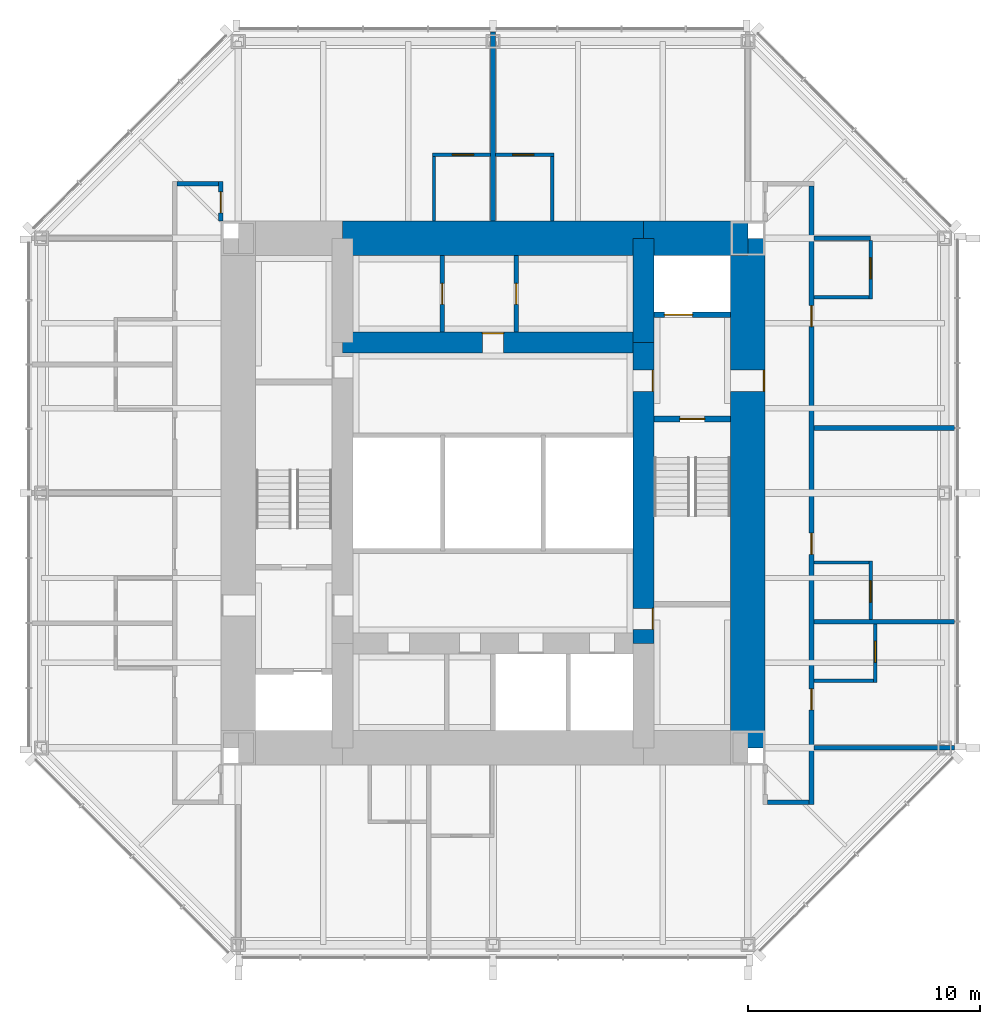
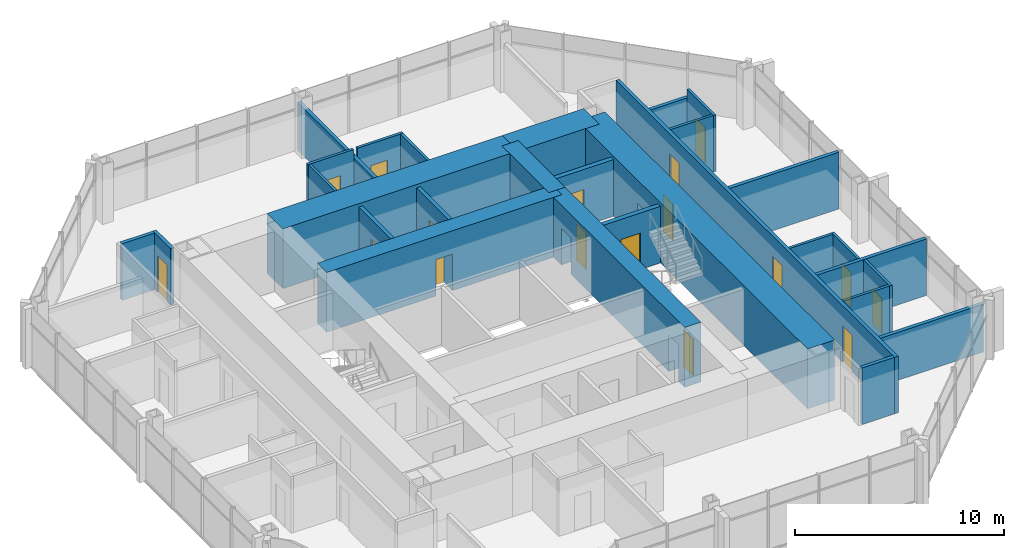
# One storey, part 9 of 11: 29 walls, 17 doors, 17 openings.
"""IFC4 building model written with IfcOpenShell, lengths in metres."""

from ifc_helpers import new_model, si_unit, direction, frame, frame_2d, origin, place, context, subcontext, project, spatial, rectangle, extrude, material, layer, layer_set, type_object, element, fill, save


model = new_model("IFC4")

# Units and contexts
model_context = context("Model", 3, precision=1e-05, world=origin(), true_north=direction((0.0, 1.0)))
body_context = subcontext(model_context, "Body", "Model", "MODEL_VIEW")
ifc_project = project(units=[si_unit("LENGTHUNIT", "METRE"), si_unit("AREAUNIT", "SQUARE_METRE"), si_unit("VOLUMEUNIT", "CUBIC_METRE"), si_unit("PLANEANGLEUNIT", "RADIAN"), si_unit("MASSUNIT", "GRAM", prefix="KILO")], contexts=[model_context])

# Site, building, storey
site_placement = place(None, origin())
site = spatial("IfcSite", under=ifc_project, at=site_placement, CompositionType="ELEMENT")
building_placement = place(site_placement, origin())
building = spatial("IfcBuilding", under=site, at=building_placement, Name="Trevanion Tower", CompositionType="ELEMENT")
storey_placement = place(building_placement, frame((0.0, 0.0, 225.699951171875)))
storey = spatial("IfcBuildingStorey", under=building, at=storey_placement, Name="L54", CompositionType="ELEMENT", Elevation=225.699951171875)

# Wall, opening, door
ifc_material_1 = material(Name="Concrete 10,000 psi", Category="concrete")
ifc_layer_1 = layer(ifc_material_1, 1.5)
ifc_layer_set_1 = layer_set([ifc_layer_1], Name="CW1 core wall 1500")
wall_type_1 = type_object("IfcWallType", Name="CW1 core wall 1500", PredefinedType="SHEAR", material=ifc_layer_set_1)
wall_1_placement = place(storey_placement, frame((11.0, -11.0, 0.0), z_axis=(0.0, 0.0, 1.0), x_axis=(0.0, 1.0, 0.0)))
wall_1 = element("IfcWall", 1, at=wall_1_placement, inside=storey, type_object=wall_type_1, Name="CW1 CE L54", PredefinedType="SHEAR", context=body_context, shape_type="SweptSolid", body=[
    extrude(rectangle(XDim=22.0, YDim=1.5, at=frame_2d((11.0, 0.0))), origin(), (0.0, 0.0, 1.0), 3.5),
])
opening_1_placement = place(wall_1_placement, frame((15.392578125, 0.0, 0.0)))
opening_1 = element("IfcOpeningElement", 2, at=opening_1_placement, cuts=wall_1, Name="Opening 54-001", PredefinedType="OPENING", context=body_context, shape_type="SweptSolid", body=[
    extrude(rectangle(XDim=0.9150390625, YDim=2.134033203125, at=frame_2d((0.45751953125, 1.06689453125))), frame((0.0, 0.760009765625, 0.0), z_axis=(0.0, -1.0, 0.0), x_axis=(1.0, 0.0, 0.0)), (0.0, 0.0, 1.0), 1.52001953125),
])
ifc_material_2 = material(Name="Hollow metal, fire rated", Category="steel")
door_type_1 = type_object("IfcDoorType", Name="D3 fire lift lobby door", OperationType="SINGLE_SWING_RIGHT", PredefinedType="DOOR", material=ifc_material_2)
door_1_placement = place(opening_1_placement, origin())
door_1 = element("IfcDoor", 3, at=door_1_placement, inside=storey, type_object=door_type_1, Name="Door 54-001", OperationType="SINGLE_SWING_RIGHT", OverallHeight=2.134033203125, OverallWidth=0.9150390625, PredefinedType="DOOR", context=body_context, shape_type="SweptSolid", body=[
    extrude(rectangle(XDim=0.9150390625, YDim=2.134033203125, at=frame_2d((0.45751953125, 1.06689453125))), frame((0.0, -0.6748046875, 0.0), z_axis=(0.0, -1.0, 0.0), x_axis=(1.0, 0.0, 0.0)), (0.0, 0.0, 1.0), 0.050048828125),
])
fill(opening_1, door_1)

# Walls
wall_2_placement = place(storey_placement, frame((11.0, 11.0, 0.0), z_axis=(0.0, 0.0, 1.0), x_axis=(-1.0, 0.0, 0.0)))
element("IfcWall", 4, at=wall_2_placement, inside=storey, type_object=wall_type_1, Name="CW1 CN1 L54", PredefinedType="SHEAR", context=body_context, shape_type="SweptSolid", body=[
    extrude(rectangle(XDim=4.5, YDim=1.5, at=frame_2d((2.25, 0.0))), origin(), (0.0, 0.0, 1.0), 3.5),
])
wall_3_placement = place(storey_placement, frame((6.5, 11.0, 0.0), z_axis=(0.0, 0.0, 1.0), x_axis=(-1.0, 0.0, 0.0)))
element("IfcWall", 5, at=wall_3_placement, inside=storey, type_object=wall_type_1, Name="CW1 CN2 L54", PredefinedType="SHEAR", context=body_context, shape_type="SweptSolid", body=[
    extrude(rectangle(XDim=13.0, YDim=1.5, at=frame_2d((6.5, 0.0))), origin(), (0.0, 0.0, 1.0), 3.5),
])

# Wall, openings, doors
ifc_material_3 = material(Name="Concrete 10,000 psi", Category="concrete")
ifc_layer_2 = layer(ifc_material_3, 0.89990234375)
ifc_layer_set_2 = layer_set([ifc_layer_2], Name="CW2 core wall 900")
wall_type_2 = type_object("IfcWallType", Name="CW2 core wall 900", PredefinedType="SHEAR", material=ifc_layer_set_2)
wall_4_placement = place(storey_placement, frame((6.5, -6.5, 0.0), z_axis=(0.0, 0.0, 1.0), x_axis=(0.0, 1.0, 0.0)))
wall_4 = element("IfcWall", 6, at=wall_4_placement, inside=storey, type_object=wall_type_2, Name="CW2 RE2 L54", PredefinedType="SHEAR", context=body_context, shape_type="SweptSolid", body=[
    extrude(rectangle(XDim=13.0, YDim=0.89990234375, at=frame_2d((6.5, 0.0))), origin(), (0.0, 0.0, 1.0), 3.5),
])
opening_2_placement = place(wall_4_placement, frame((10.892578125, 0.0, 0.0)))
opening_2 = element("IfcOpeningElement", 7, at=opening_2_placement, cuts=wall_4, Name="Opening 54-003", PredefinedType="OPENING", context=body_context, shape_type="SweptSolid", body=[
    extrude(rectangle(XDim=0.9150390625, YDim=2.134033203125, at=frame_2d((0.45751953125, 1.06689453125))), frame((0.0, 0.4599609375, 0.0), z_axis=(0.0, -1.0, 0.0), x_axis=(1.0, 0.0, 0.0)), (0.0, 0.0, 1.0), 0.919921875),
])
opening_3_placement = place(wall_4_placement, frame((0.610107421875, 0.0, 0.0)))
opening_3 = element("IfcOpeningElement", 8, at=opening_3_placement, cuts=wall_4, Name="Opening 54-009", PredefinedType="OPENING", context=body_context, shape_type="SweptSolid", body=[
    extrude(rectangle(XDim=0.9150390625, YDim=2.134033203125, at=frame_2d((0.45751953125, 1.06689453125))), frame((0.0, 0.4599609375, 0.0), z_axis=(0.0, -1.0, 0.0), x_axis=(1.0, 0.0, 0.0)), (0.0, 0.0, 1.0), 0.919921875),
])
door_2_placement = place(opening_2_placement, origin())
door_2 = element("IfcDoor", 9, at=door_2_placement, inside=storey, type_object=door_type_1, Name="Door 54-003", OperationType="SINGLE_SWING_RIGHT", OverallHeight=2.134033203125, OverallWidth=0.9150390625, PredefinedType="DOOR", context=body_context, shape_type="SweptSolid", body=[
    extrude(rectangle(XDim=0.9150390625, YDim=2.134033203125, at=frame_2d((0.45751953125, 1.06689453125))), frame((0.0, -0.375, 0.0), z_axis=(0.0, -1.0, 0.0), x_axis=(1.0, 0.0, 0.0)), (0.0, 0.0, 1.0), 0.050048828125),
])
fill(opening_2, door_2)
ifc_material_4 = material(Name="Hollow metal, fire rated", Category="steel")
door_type_2 = type_object("IfcDoorType", Name="D5 service room door", OperationType="SINGLE_SWING_RIGHT", PredefinedType="DOOR", material=ifc_material_4)
door_3_placement = place(opening_3_placement, origin())
door_3 = element("IfcDoor", 10, at=door_3_placement, inside=storey, type_object=door_type_2, Name="Door 54-009", OperationType="SINGLE_SWING_RIGHT", OverallHeight=2.134033203125, OverallWidth=0.9150390625, PredefinedType="DOOR", context=body_context, shape_type="SweptSolid", body=[
    extrude(rectangle(XDim=0.9150390625, YDim=2.134033203125, at=frame_2d((0.45751953125, 1.06689453125))), frame((0.0, -0.375, 0.0), z_axis=(0.0, -1.0, 0.0), x_axis=(1.0, 0.0, 0.0)), (0.0, 0.0, 1.0), 0.050048828125),
])
fill(opening_3, door_3)

# Wall
wall_5_placement = place(storey_placement, frame((6.5, 6.5, 0.0), z_axis=(0.0, 0.0, 1.0), x_axis=(0.0, 1.0, 0.0)))
element("IfcWall", 11, at=wall_5_placement, inside=storey, type_object=wall_type_2, Name="CW2 RE3 L54", PredefinedType="SHEAR", context=body_context, shape_type="SweptSolid", body=[
    extrude(rectangle(XDim=4.5, YDim=0.89990234375, at=frame_2d((2.25, 0.0))), origin(), (0.0, 0.0, 1.0), 3.5),
])

# Wall, opening, door
wall_6_placement = place(storey_placement, frame((6.5, 6.5, 0.0), z_axis=(0.0, 0.0, 1.0), x_axis=(-1.0, 0.0, 0.0)))
wall_6 = element("IfcWall", 12, at=wall_6_placement, inside=storey, type_object=wall_type_2, Name="CW2 RN L54", PredefinedType="SHEAR", context=body_context, shape_type="SweptSolid", body=[
    extrude(rectangle(XDim=13.0, YDim=0.89990234375, at=frame_2d((6.5, 0.0))), origin(), (0.0, 0.0, 1.0), 3.5),
])
opening_4_placement = place(wall_6_placement, frame((6.04248046875, 0.0, 0.0)))
opening_4 = element("IfcOpeningElement", 13, at=opening_4_placement, cuts=wall_6, Name="Opening 54-015", PredefinedType="OPENING", context=body_context, shape_type="SweptSolid", body=[
    extrude(rectangle(XDim=0.9150390625, YDim=2.134033203125, at=frame_2d((0.45751953125, 1.06689453125))), frame((0.0, 0.4599609375, 0.0), z_axis=(0.0, -1.0, 0.0), x_axis=(1.0, 0.0, 0.0)), (0.0, 0.0, 1.0), 0.919921875),
])
door_4_placement = place(opening_4_placement, origin())
door_4 = element("IfcDoor", 14, at=door_4_placement, inside=storey, type_object=door_type_2, Name="Door 54-015", OperationType="SINGLE_SWING_RIGHT", OverallHeight=2.134033203125, OverallWidth=0.9150390625, PredefinedType="DOOR", context=body_context, shape_type="SweptSolid", body=[
    extrude(rectangle(XDim=0.9150390625, YDim=2.134033203125, at=frame_2d((0.45751953125, 1.06689453125))), frame((0.0, -0.375, 0.0), z_axis=(0.0, -1.0, 0.0), x_axis=(1.0, 0.0, 0.0)), (0.0, 0.0, 1.0), 0.050048828125),
])
fill(opening_4, door_4)

ifc_material_5 = material(Name="Gypsum board on steel studs", Category="steel")
ifc_layer_3 = layer(ifc_material_5, 0.14990234375)
ifc_layer_set_3 = layer_set([ifc_layer_3], Name="PT1 partition 150")
wall_type_3 = type_object("IfcWallType", Name="PT1 partition 150", PredefinedType="PARTITIONING", material=ifc_layer_set_3)
wall_7_placement = place(storey_placement, frame((16.5, -8.174072265625, 0.0), z_axis=(0.0, 0.0, 1.0), x_axis=(0.0, 1.0, 0.0)))
wall_7 = element("IfcWall", 15, at=wall_7_placement, inside=storey, type_object=wall_type_3, Name="PT1 L54 BA00", PredefinedType="PARTITIONING", context=body_context, shape_type="SweptSolid", body=[
    extrude(rectangle(XDim=2.525146484375, YDim=0.14990234375, at=frame_2d((1.2626953125, 0.0))), origin(), (0.0, 0.0, 1.0), 3.31005859375),
])
opening_5_placement = place(wall_7_placement, frame((0.867431640625, 0.0, 0.0)))
opening_5 = element("IfcOpeningElement", 16, at=opening_5_placement, cuts=wall_7, Name="Opening 54-018", PredefinedType="OPENING", context=body_context, shape_type="SweptSolid", body=[
    extrude(rectangle(XDim=0.9150390625, YDim=2.031982421875, at=frame_2d((0.45751953125, 1.01611328125))), frame((0.0, 0.0849609375, 0.0), z_axis=(0.0, -1.0, 0.0), x_axis=(1.0, 0.0, 0.0)), (0.0, 0.0, 1.0), 0.169921875),
])
ifc_material_6 = material(Name="Timber veneer", Category="wood")
door_type_3 = type_object("IfcDoorType", Name="D7 bathroom door", OperationType="SINGLE_SWING_LEFT", PredefinedType="DOOR", material=ifc_material_6)
door_5_placement = place(opening_5_placement, origin())
door_5 = element("IfcDoor", 17, at=door_5_placement, inside=storey, type_object=door_type_3, Name="Door 54-018", OperationType="SINGLE_SWING_LEFT", OverallHeight=2.031982421875, OverallWidth=0.9150390625, PredefinedType="DOOR", context=body_context, shape_type="SweptSolid", body=[
    extrude(rectangle(XDim=0.9150390625, YDim=2.031982421875, at=frame_2d((0.45751953125, 1.01611328125))), frame((0.0, 0.02490234375, 0.0), z_axis=(0.0, -1.0, 0.0), x_axis=(1.0, 0.0, 0.0)), (0.0, 0.0, 1.0), 0.050048828125),
])
fill(opening_5, door_5)

# Wall
wall_8_placement = place(storey_placement, frame((13.85009765625, -8.09912109375, 0.0), z_axis=(0.0, 0.0, 1.0), x_axis=(1.0, 0.0, 0.0)))
element("IfcWall", 18, at=wall_8_placement, inside=storey, type_object=wall_type_3, Name="PT1 L54 BB00", PredefinedType="PARTITIONING", context=body_context, shape_type="SweptSolid", body=[
    extrude(rectangle(XDim=2.574951171875, YDim=0.14990234375, at=frame_2d((1.28759765625, 0.0))), origin(), (0.0, 0.0, 1.0), 3.31005859375),
])

# Wall, opening, door
wall_9_placement = place(storey_placement, frame((16.300048828125, -5.448974609375, 0.0), z_axis=(0.0, 0.0, 1.0), x_axis=(0.0, 1.0, 0.0)))
wall_9 = element("IfcWall", 19, at=wall_9_placement, inside=storey, type_object=wall_type_3, Name="PT1 L54 BA01", PredefinedType="PARTITIONING", context=body_context, shape_type="SweptSolid", body=[
    extrude(rectangle(XDim=2.52490234375, YDim=0.14990234375, at=frame_2d((1.262451171875, 0.0))), origin(), (0.0, 0.0, 1.0), 3.31005859375),
])
opening_6_placement = place(wall_9_placement, frame((0.742431640625, 0.0, 0.0)))
opening_6 = element("IfcOpeningElement", 20, at=opening_6_placement, cuts=wall_9, Name="Opening 54-020", PredefinedType="OPENING", context=body_context, shape_type="SweptSolid", body=[
    extrude(rectangle(XDim=0.9150390625, YDim=2.031982421875, at=frame_2d((0.45751953125, 1.01611328125))), frame((0.0, 0.0849609375, 0.0), z_axis=(0.0, -1.0, 0.0), x_axis=(1.0, 0.0, 0.0)), (0.0, 0.0, 1.0), 0.169921875),
])
door_6_placement = place(opening_6_placement, origin())
door_6 = element("IfcDoor", 21, at=door_6_placement, inside=storey, type_object=door_type_3, Name="Door 54-020", OperationType="SINGLE_SWING_LEFT", OverallHeight=2.031982421875, OverallWidth=0.9150390625, PredefinedType="DOOR", context=body_context, shape_type="SweptSolid", body=[
    extrude(rectangle(XDim=0.9150390625, YDim=2.031982421875, at=frame_2d((0.45751953125, 1.01611328125))), frame((0.0, 0.02490234375, 0.0), z_axis=(0.0, -1.0, 0.0), x_axis=(1.0, 0.0, 0.0)), (0.0, 0.0, 1.0), 0.050048828125),
])
fill(opening_6, door_6)

# Wall
wall_10_placement = place(storey_placement, frame((13.85009765625, -2.9990234375, 0.0), z_axis=(0.0, 0.0, 1.0), x_axis=(1.0, 0.0, 0.0)))
element("IfcWall", 22, at=wall_10_placement, inside=storey, type_object=wall_type_3, Name="PT1 L54 BB01", PredefinedType="PARTITIONING", context=body_context, shape_type="SweptSolid", body=[
    extrude(rectangle(XDim=2.375, YDim=0.14990234375, at=frame_2d((1.1875, 0.0))), origin(), (0.0, 0.0, 1.0), 3.31005859375),
])

# Wall, opening, door
wall_11_placement = place(storey_placement, frame((16.300048828125, 8.375, 0.0), z_axis=(0.0, 0.0, 1.0), x_axis=(0.0, 1.0, 0.0)))
wall_11 = element("IfcWall", 23, at=wall_11_placement, inside=storey, type_object=wall_type_3, Name="PT1 L54 BA02", PredefinedType="PARTITIONING", context=body_context, shape_type="SweptSolid", body=[
    extrude(rectangle(XDim=2.52490234375, YDim=0.14990234375, at=frame_2d((1.262451171875, 0.0))), origin(), (0.0, 0.0, 1.0), 3.31005859375),
])
opening_7_placement = place(wall_11_placement, frame((0.867431640625, 0.0, 0.0)))
opening_7 = element("IfcOpeningElement", 24, at=opening_7_placement, cuts=wall_11, Name="Opening 54-022", PredefinedType="OPENING", context=body_context, shape_type="SweptSolid", body=[
    extrude(rectangle(XDim=0.9150390625, YDim=2.031982421875, at=frame_2d((0.45751953125, 1.01611328125))), frame((0.0, 0.0849609375, 0.0), z_axis=(0.0, -1.0, 0.0), x_axis=(1.0, 0.0, 0.0)), (0.0, 0.0, 1.0), 0.169921875),
])
door_7_placement = place(opening_7_placement, origin())
door_7 = element("IfcDoor", 25, at=door_7_placement, inside=storey, type_object=door_type_3, Name="Door 54-022", OperationType="SINGLE_SWING_LEFT", OverallHeight=2.031982421875, OverallWidth=0.9150390625, PredefinedType="DOOR", context=body_context, shape_type="SweptSolid", body=[
    extrude(rectangle(XDim=0.9150390625, YDim=2.031982421875, at=frame_2d((0.45751953125, 1.01611328125))), frame((0.0, 0.02490234375, 0.0), z_axis=(0.0, -1.0, 0.0), x_axis=(1.0, 0.0, 0.0)), (0.0, 0.0, 1.0), 0.050048828125),
])
fill(opening_7, door_7)

# Wall
wall_12_placement = place(storey_placement, frame((13.85009765625, 8.449951171875, 0.0), z_axis=(0.0, 0.0, 1.0), x_axis=(1.0, 0.0, 0.0)))
element("IfcWall", 26, at=wall_12_placement, inside=storey, type_object=wall_type_3, Name="PT1 L54 BB02", PredefinedType="PARTITIONING", context=body_context, shape_type="SweptSolid", body=[
    extrude(rectangle(XDim=2.375, YDim=0.14990234375, at=frame_2d((1.1875, 0.0))), origin(), (0.0, 0.0, 1.0), 3.31005859375),
])

# Wall, opening, door
wall_13_placement = place(storey_placement, frame((2.625, 14.60009765625, 0.0), z_axis=(0.0, 0.0, 1.0), x_axis=(-1.0, 0.0, 0.0)))
wall_13 = element("IfcWall", 27, at=wall_13_placement, inside=storey, type_object=wall_type_3, Name="PT1 L54 BA10", PredefinedType="PARTITIONING", context=body_context, shape_type="SweptSolid", body=[
    extrude(rectangle(XDim=2.52490234375, YDim=0.14990234375, at=frame_2d((1.262451171875, 0.0))), origin(), (0.0, 0.0, 1.0), 3.31005859375),
])
opening_8_placement = place(wall_13_placement, frame((0.867431640625, 0.0, 0.0)))
opening_8 = element("IfcOpeningElement", 28, at=opening_8_placement, cuts=wall_13, Name="Opening 54-026", PredefinedType="OPENING", context=body_context, shape_type="SweptSolid", body=[
    extrude(rectangle(XDim=0.9150390625, YDim=2.031982421875, at=frame_2d((0.45751953125, 1.01611328125))), frame((0.0, 0.0849609375, 0.0), z_axis=(0.0, -1.0, 0.0), x_axis=(1.0, 0.0, 0.0)), (0.0, 0.0, 1.0), 0.169921875),
])
door_8_placement = place(opening_8_placement, origin())
door_8 = element("IfcDoor", 29, at=door_8_placement, inside=storey, type_object=door_type_3, Name="Door 54-026", OperationType="SINGLE_SWING_LEFT", OverallHeight=2.031982421875, OverallWidth=0.9150390625, PredefinedType="DOOR", context=body_context, shape_type="SweptSolid", body=[
    extrude(rectangle(XDim=0.9150390625, YDim=2.031982421875, at=frame_2d((0.45751953125, 1.01611328125))), frame((0.0, 0.02490234375, 0.0), z_axis=(0.0, -1.0, 0.0), x_axis=(1.0, 0.0, 0.0)), (0.0, 0.0, 1.0), 0.050048828125),
])
fill(opening_8, door_8)

# Wall
wall_14_placement = place(storey_placement, frame((2.550048828125, 11.75, 0.0), z_axis=(0.0, 0.0, 1.0), x_axis=(0.0, 1.0, 0.0)))
element("IfcWall", 30, at=wall_14_placement, inside=storey, type_object=wall_type_3, Name="PT1 L54 BB10", PredefinedType="PARTITIONING", context=body_context, shape_type="SweptSolid", body=[
    extrude(rectangle(XDim=2.77490234375, YDim=0.14990234375, at=frame_2d((1.387451171875, 0.0))), origin(), (0.0, 0.0, 1.0), 3.31005859375),
])

# Wall, opening, door
wall_15_placement = place(storey_placement, frame((-0.10009765625, 14.60009765625, 0.0), z_axis=(0.0, 0.0, 1.0), x_axis=(-1.0, 0.0, 0.0)))
wall_15 = element("IfcWall", 31, at=wall_15_placement, inside=storey, type_object=wall_type_3, Name="PT1 L54 BA11", PredefinedType="PARTITIONING", context=body_context, shape_type="SweptSolid", body=[
    extrude(rectangle(XDim=2.52490234375, YDim=0.14990234375, at=frame_2d((1.262451171875, 0.0))), origin(), (0.0, 0.0, 1.0), 3.31005859375),
])
opening_9_placement = place(wall_15_placement, frame((0.742431640625, 0.0, 0.0)))
opening_9 = element("IfcOpeningElement", 32, at=opening_9_placement, cuts=wall_15, Name="Opening 54-027", PredefinedType="OPENING", context=body_context, shape_type="SweptSolid", body=[
    extrude(rectangle(XDim=0.9150390625, YDim=2.031982421875, at=frame_2d((0.45751953125, 1.01611328125))), frame((0.0, 0.0849609375, 0.0), z_axis=(0.0, -1.0, 0.0), x_axis=(1.0, 0.0, 0.0)), (0.0, 0.0, 1.0), 0.169921875),
])
door_9_placement = place(opening_9_placement, origin())
door_9 = element("IfcDoor", 33, at=door_9_placement, inside=storey, type_object=door_type_3, Name="Door 54-027", OperationType="SINGLE_SWING_LEFT", OverallHeight=2.031982421875, OverallWidth=0.9150390625, PredefinedType="DOOR", context=body_context, shape_type="SweptSolid", body=[
    extrude(rectangle(XDim=0.9150390625, YDim=2.031982421875, at=frame_2d((0.45751953125, 1.01611328125))), frame((0.0, 0.02490234375, 0.0), z_axis=(0.0, -1.0, 0.0), x_axis=(1.0, 0.0, 0.0)), (0.0, 0.0, 1.0), 0.050048828125),
])
fill(opening_9, door_9)

# Wall
wall_16_placement = place(storey_placement, frame((-2.550048828125, 11.75, 0.0), z_axis=(0.0, 0.0, 1.0), x_axis=(0.0, 1.0, 0.0)))
element("IfcWall", 34, at=wall_16_placement, inside=storey, type_object=wall_type_3, Name="PT1 L54 BB11", PredefinedType="PARTITIONING", context=body_context, shape_type="SweptSolid", body=[
    extrude(rectangle(XDim=2.77490234375, YDim=0.14990234375, at=frame_2d((1.387451171875, 0.0))), origin(), (0.0, 0.0, 1.0), 3.31005859375),
])

# Wall, opening, door
ifc_material_7 = material(Name="Concrete masonry, grouted", Category="masonry")
ifc_layer_4 = layer(ifc_material_7, 0.199951171875)
ifc_layer_set_4 = layer_set([ifc_layer_4], Name="PT2 partition 200 1 HR")
wall_type_4 = type_object("IfcWallType", Name="PT2 partition 200 1 HR", PredefinedType="PARTITIONING", material=ifc_layer_set_4)
wall_17_placement = place(storey_placement, frame((-2.199951171875, 6.949951171875, 0.0), z_axis=(0.0, 0.0, 1.0), x_axis=(0.0, 1.0, 0.0)))
wall_17 = element("IfcWall", 35, at=wall_17_placement, inside=storey, type_object=wall_type_4, Name="PT2 L54 HKP1", PredefinedType="PARTITIONING", context=body_context, shape_type="SweptSolid", body=[
    extrude(rectangle(XDim=3.300048828125, YDim=0.199951171875, at=frame_2d((1.64990234375, 0.0))), origin(), (0.0, 0.0, 1.0), 3.31005859375),
])
opening_10_placement = place(wall_17_placement, frame((1.1923828125, 0.0, 0.0)))
opening_10 = element("IfcOpeningElement", 36, at=opening_10_placement, cuts=wall_17, Name="Opening 54-016", PredefinedType="OPENING", context=body_context, shape_type="SweptSolid", body=[
    extrude(rectangle(XDim=0.9150390625, YDim=2.134033203125, at=frame_2d((0.45751953125, 1.06689453125))), frame((0.0, 0.10986328125, 0.0), z_axis=(0.0, -1.0, 0.0), x_axis=(1.0, 0.0, 0.0)), (0.0, 0.0, 1.0), 0.219970703125),
])
door_10_placement = place(opening_10_placement, origin())
door_10 = element("IfcDoor", 37, at=door_10_placement, inside=storey, type_object=door_type_2, Name="Door 54-016", OperationType="SINGLE_SWING_RIGHT", OverallHeight=2.134033203125, OverallWidth=0.9150390625, PredefinedType="DOOR", context=body_context, shape_type="SweptSolid", body=[
    extrude(rectangle(XDim=0.9150390625, YDim=2.134033203125, at=frame_2d((0.45751953125, 1.06689453125))), frame((0.0, 0.02490234375, 0.0), z_axis=(0.0, -1.0, 0.0), x_axis=(1.0, 0.0, 0.0)), (0.0, 0.0, 1.0), 0.050048828125),
])
fill(opening_10, door_10)

wall_18_placement = place(storey_placement, frame((1.0, 6.949951171875, 0.0), z_axis=(0.0, 0.0, 1.0), x_axis=(0.0, 1.0, 0.0)))
wall_18 = element("IfcWall", 38, at=wall_18_placement, inside=storey, type_object=wall_type_4, Name="PT2 L54 HKP2", PredefinedType="PARTITIONING", context=body_context, shape_type="SweptSolid", body=[
    extrude(rectangle(XDim=3.300048828125, YDim=0.199951171875, at=frame_2d((1.64990234375, 0.0))), origin(), (0.0, 0.0, 1.0), 3.31005859375),
])
opening_11_placement = place(wall_18_placement, frame((1.1923828125, 0.0, 0.0)))
opening_11 = element("IfcOpeningElement", 39, at=opening_11_placement, cuts=wall_18, Name="Opening 54-017", PredefinedType="OPENING", context=body_context, shape_type="SweptSolid", body=[
    extrude(rectangle(XDim=0.9150390625, YDim=2.134033203125, at=frame_2d((0.45751953125, 1.06689453125))), frame((0.0, 0.10986328125, 0.0), z_axis=(0.0, -1.0, 0.0), x_axis=(1.0, 0.0, 0.0)), (0.0, 0.0, 1.0), 0.219970703125),
])
door_11_placement = place(opening_11_placement, origin())
door_11 = element("IfcDoor", 40, at=door_11_placement, inside=storey, type_object=door_type_2, Name="Door 54-017", OperationType="SINGLE_SWING_RIGHT", OverallHeight=2.134033203125, OverallWidth=0.9150390625, PredefinedType="DOOR", context=body_context, shape_type="SweptSolid", body=[
    extrude(rectangle(XDim=0.9150390625, YDim=2.134033203125, at=frame_2d((0.45751953125, 1.06689453125))), frame((0.0, 0.02490234375, 0.0), z_axis=(0.0, -1.0, 0.0), x_axis=(1.0, 0.0, 0.0)), (0.0, 0.0, 1.0), 0.050048828125),
])
fill(opening_11, door_11)

wall_19_placement = place(storey_placement, frame((-11.75, 11.75, 0.0), z_axis=(0.0, 0.0, 1.0), x_axis=(0.0, 1.0, 0.0)))
wall_19 = element("IfcWall", 41, at=wall_19_placement, inside=storey, type_object=wall_type_4, Name="PT2 L54 HO1b", PredefinedType="PARTITIONING", context=body_context, shape_type="SweptSolid", body=[
    extrude(rectangle(XDim=1.699951171875, YDim=0.199951171875, at=frame_2d((0.85009765625, 0.0))), origin(), (0.0, 0.0, 1.0), 3.31005859375),
])
opening_12_placement = place(wall_19_placement, frame((0.342529296875, 0.0, 0.0)))
opening_12 = element("IfcOpeningElement", 42, at=opening_12_placement, cuts=wall_19, Name="Opening 54-025", PredefinedType="OPENING", context=body_context, shape_type="SweptSolid", body=[
    extrude(rectangle(XDim=0.9150390625, YDim=2.134033203125, at=frame_2d((0.45751953125, 1.06689453125))), frame((0.0, 0.10986328125, 0.0), z_axis=(0.0, -1.0, 0.0), x_axis=(1.0, 0.0, 0.0)), (0.0, 0.0, 1.0), 0.219970703125),
])
ifc_material_8 = material(Name="Timber veneer, fire rated", Category="wood")
door_type_4 = type_object("IfcDoorType", Name="D6 guest room entrance door", OperationType="SINGLE_SWING_LEFT", PredefinedType="DOOR", material=ifc_material_8)
door_12_placement = place(opening_12_placement, origin())
door_12 = element("IfcDoor", 43, at=door_12_placement, inside=storey, type_object=door_type_4, Name="Door 54-025", OperationType="SINGLE_SWING_LEFT", OverallHeight=2.134033203125, OverallWidth=0.9150390625, PredefinedType="DOOR", context=body_context, shape_type="SweptSolid", body=[
    extrude(rectangle(XDim=0.9150390625, YDim=2.134033203125, at=frame_2d((0.45751953125, 1.06689453125))), frame((0.0, 0.02490234375, 0.0), z_axis=(0.0, -1.0, 0.0), x_axis=(1.0, 0.0, 0.0)), (0.0, 0.0, 1.0), 0.050048828125),
])
fill(opening_12, door_12)

# Walls
for number, where, z_axis, x_axis, name in (
    (44, (-11.85009765625, 13.35009765625, 0.0), (0.0, 0.0, 1.0), (-1.0, 0.0, 0.0), "PT2 L54 HC1cb"),
    (45, (11.85009765625, -13.35009765625, 0.0), (0.0, 0.0, 1.0), (1.0, 0.0, 0.0), "PT2 L54 HC3cb"),
):
    element("IfcWall", number, at=place(storey_placement, frame(where, z_axis=z_axis, x_axis=x_axis)), inside=storey, type_object=wall_type_4, Name=name, PredefinedType="PARTITIONING", context=body_context, shape_type="SweptSolid", body=[
        extrude(rectangle(XDim=1.7998046875, YDim=0.199951171875, at=frame_2d((0.89990234375, 0.0))), origin(), (0.0, 0.0, 1.0), 3.31005859375),
    ])

# Wall, openings, doors
wall_20_placement = place(storey_placement, frame((13.75, -13.449951171875, 0.0), z_axis=(0.0, 0.0, 1.0), x_axis=(0.0, 1.0, 0.0)))
wall_20 = element("IfcWall", 46, at=wall_20_placement, inside=storey, type_object=wall_type_4, Name="PT2 L54 HC0", PredefinedType="PARTITIONING", context=body_context, shape_type="SweptSolid", body=[
    extrude(rectangle(XDim=26.699951171875, YDim=0.199951171875, at=frame_2d((13.35009765625, 0.0))), origin(), (0.0, 0.0, 1.0), 3.31005859375),
])
opening_13_placement = place(wall_20_placement, frame((4.08349609375, 0.0, 0.0)))
opening_13 = element("IfcOpeningElement", 47, at=opening_13_placement, cuts=wall_20, Name="Opening 54-019", PredefinedType="OPENING", context=body_context, shape_type="SweptSolid", body=[
    extrude(rectangle(XDim=0.9150390625, YDim=2.134033203125, at=frame_2d((0.45751953125, 1.06689453125))), frame((0.0, 0.10986328125, 0.0), z_axis=(0.0, -1.0, 0.0), x_axis=(1.0, 0.0, 0.0)), (0.0, 0.0, 1.0), 0.219970703125),
])
opening_14_placement = place(wall_20_placement, frame((10.803466796875, 0.0, 0.0)))
opening_14 = element("IfcOpeningElement", 48, at=opening_14_placement, cuts=wall_20, Name="Opening 54-021", PredefinedType="OPENING", context=body_context, shape_type="SweptSolid", body=[
    extrude(rectangle(XDim=0.9150390625, YDim=2.134033203125, at=frame_2d((0.45751953125, 1.06689453125))), frame((0.0, 0.10986328125, 0.0), z_axis=(0.0, -1.0, 0.0), x_axis=(1.0, 0.0, 0.0)), (0.0, 0.0, 1.0), 0.219970703125),
])
opening_15_placement = place(wall_20_placement, frame((20.632568359375, 0.0, 0.0)))
opening_15 = element("IfcOpeningElement", 49, at=opening_15_placement, cuts=wall_20, Name="Opening 54-023", PredefinedType="OPENING", context=body_context, shape_type="SweptSolid", body=[
    extrude(rectangle(XDim=0.9150390625, YDim=2.134033203125, at=frame_2d((0.45751953125, 1.06689453125))), frame((0.0, 0.10986328125, 0.0), z_axis=(0.0, -1.0, 0.0), x_axis=(1.0, 0.0, 0.0)), (0.0, 0.0, 1.0), 0.219970703125),
])
door_13_placement = place(opening_13_placement, origin())
door_13 = element("IfcDoor", 50, at=door_13_placement, inside=storey, type_object=door_type_4, Name="Door 54-019", OperationType="SINGLE_SWING_LEFT", OverallHeight=2.134033203125, OverallWidth=0.9150390625, PredefinedType="DOOR", context=body_context, shape_type="SweptSolid", body=[
    extrude(rectangle(XDim=0.9150390625, YDim=2.134033203125, at=frame_2d((0.45751953125, 1.06689453125))), frame((0.0, 0.02490234375, 0.0), z_axis=(0.0, -1.0, 0.0), x_axis=(1.0, 0.0, 0.0)), (0.0, 0.0, 1.0), 0.050048828125),
])
fill(opening_13, door_13)
door_14_placement = place(opening_14_placement, origin())
door_14 = element("IfcDoor", 51, at=door_14_placement, inside=storey, type_object=door_type_4, Name="Door 54-021", OperationType="SINGLE_SWING_LEFT", OverallHeight=2.134033203125, OverallWidth=0.9150390625, PredefinedType="DOOR", context=body_context, shape_type="SweptSolid", body=[
    extrude(rectangle(XDim=0.9150390625, YDim=2.134033203125, at=frame_2d((0.45751953125, 1.06689453125))), frame((0.0, 0.02490234375, 0.0), z_axis=(0.0, -1.0, 0.0), x_axis=(1.0, 0.0, 0.0)), (0.0, 0.0, 1.0), 0.050048828125),
])
fill(opening_14, door_14)
door_15_placement = place(opening_15_placement, origin())
door_15 = element("IfcDoor", 52, at=door_15_placement, inside=storey, type_object=door_type_4, Name="Door 54-023", OperationType="SINGLE_SWING_LEFT", OverallHeight=2.134033203125, OverallWidth=0.9150390625, PredefinedType="DOOR", context=body_context, shape_type="SweptSolid", body=[
    extrude(rectangle(XDim=0.9150390625, YDim=2.134033203125, at=frame_2d((0.45751953125, 1.06689453125))), frame((0.0, 0.02490234375, 0.0), z_axis=(0.0, -1.0, 0.0), x_axis=(1.0, 0.0, 0.0)), (0.0, 0.0, 1.0), 0.050048828125),
])
fill(opening_15, door_15)

# Walls
wall_21_placement = place(storey_placement, frame((13.85009765625, -11.0, 0.0), z_axis=(0.0, 0.0, 1.0), x_axis=(1.0, 0.0, 0.0)))
element("IfcWall", 53, at=wall_21_placement, inside=storey, type_object=wall_type_4, Name="PT2 L54 HD00", PredefinedType="PARTITIONING", context=body_context, shape_type="SweptSolid", body=[
    extrude(rectangle(XDim=6.06494140625, YDim=0.199951171875, at=frame_2d((3.032470703125, 0.0))), origin(), (0.0, 0.0, 1.0), 2.802001953125),
])
for number, where, z_axis, x_axis, name in (
    (54, (13.85009765625, -5.549072265625, 0.0), (0.0, 0.0, 1.0), (1.0, 0.0, 0.0), "PT2 L54 HD01"),
    (55, (13.85009765625, 2.806884765625, 0.0), (0.0, 0.0, 1.0), (1.0, 0.0, 0.0), "PT2 L54 HD02"),
):
    element("IfcWall", number, at=place(storey_placement, frame(where, z_axis=z_axis, x_axis=x_axis)), inside=storey, type_object=wall_type_4, Name=name, PredefinedType="PARTITIONING", context=body_context, shape_type="SweptSolid", body=[
        extrude(rectangle(XDim=6.06494140625, YDim=0.199951171875, at=frame_2d((3.032470703125, 0.0))), origin(), (0.0, 0.0, 1.0), 3.31005859375),
    ])
wall_22_placement = place(storey_placement, frame((13.85009765625, 11.0, 0.0), z_axis=(0.0, 0.0, 1.0), x_axis=(1.0, 0.0, 0.0)))
element("IfcWall", 56, at=wall_22_placement, inside=storey, type_object=wall_type_4, Name="PT2 L54 BC02", PredefinedType="PARTITIONING", context=body_context, shape_type="SweptSolid", body=[
    extrude(rectangle(XDim=2.449951171875, YDim=0.199951171875, at=frame_2d((1.22509765625, 0.0))), origin(), (0.0, 0.0, 1.0), 2.802001953125),
])
wall_23_placement = place(storey_placement, frame((0.0, 11.75, 0.0), z_axis=(0.0, 0.0, 1.0), x_axis=(0.0, 1.0, 0.0)))
element("IfcWall", 57, at=wall_23_placement, inside=storey, type_object=wall_type_4, Name="PT2 L54 HD11", PredefinedType="PARTITIONING", context=body_context, shape_type="SweptSolid", body=[
    extrude(rectangle(XDim=8.1650390625, YDim=0.199951171875, at=frame_2d((4.08251953125, 0.0))), origin(), (0.0, 0.0, 1.0), 2.802001953125),
])

# Wall, opening, door
ifc_material_9 = material(Name="Concrete masonry, grouted, two-hour", Category="masonry")
ifc_layer_5 = layer(ifc_material_9, 0.25)
ifc_layer_set_5 = layer_set([ifc_layer_5], Name="PT3 partition 250 2 HR")
wall_type_5 = type_object("IfcWallType", Name="PT3 partition 250 2 HR", PredefinedType="PARTITIONING", material=ifc_layer_set_5)
wall_24_placement = place(storey_placement, frame((6.949951171875, 7.699951171875, 0.0), z_axis=(0.0, 0.0, 1.0), x_axis=(1.0, 0.0, 0.0)))
wall_24 = element("IfcWall", 58, at=wall_24_placement, inside=storey, type_object=wall_type_5, Name="PT3 L54 EP3", PredefinedType="PARTITIONING", context=body_context, shape_type="SweptSolid", body=[
    extrude(rectangle(XDim=3.300048828125, YDim=0.25, at=frame_2d((1.64990234375, 0.0))), origin(), (0.0, 0.0, 1.0), 3.31005859375),
])
opening_16_placement = place(wall_24_placement, frame((0.449951171875, 0.0, 0.0)))
opening_16 = element("IfcOpeningElement", 59, at=opening_16_placement, cuts=wall_24, Name="Opening 54-007", PredefinedType="OPENING", context=body_context, shape_type="SweptSolid", body=[
    extrude(rectangle(XDim=1.218994140625, YDim=2.134033203125, at=frame_2d((0.609375, 1.06689453125))), frame((0.0, 0.135009765625, 0.0), z_axis=(0.0, -1.0, 0.0), x_axis=(1.0, 0.0, 0.0)), (0.0, 0.0, 1.0), 0.27001953125),
])
ifc_material_10 = material(Name="Stainless steel, fire rated", Category="steel")
door_type_5 = type_object("IfcDoorType", Name="LD2 fire service lift landing door", OperationType="SLIDING_TO_LEFT", PredefinedType="DOOR", material=ifc_material_10)
door_16_placement = place(opening_16_placement, origin())
door_16 = element("IfcDoor", 60, at=door_16_placement, inside=storey, type_object=door_type_5, Name="Door 54-007", OperationType="SLIDING_TO_LEFT", OverallHeight=2.134033203125, OverallWidth=1.218994140625, PredefinedType="DOOR", context=body_context, shape_type="SweptSolid", body=[
    extrude(rectangle(XDim=1.218994140625, YDim=2.134033203125, at=frame_2d((0.609375, 1.06689453125))), frame((0.0, 0.02490234375, 0.0), z_axis=(0.0, -1.0, 0.0), x_axis=(1.0, 0.0, 0.0)), (0.0, 0.0, 1.0), 0.050048828125),
])
fill(opening_16, door_16)

ifc_material_11 = material(Name="Reinforced masonry, fully grouted", Category="masonry")
ifc_layer_6 = layer(ifc_material_11, 0.25)
ifc_layer_set_6 = layer_set([ifc_layer_6], Name="SW1 stair shaft wall 250")
wall_type_6 = type_object("IfcWallType", Name="SW1 stair shaft wall 250", PredefinedType="SOLIDWALL", material=ifc_layer_set_6)
wall_25_placement = place(storey_placement, frame((6.949951171875, 3.199951171875, 0.0), z_axis=(0.0, 0.0, 1.0), x_axis=(1.0, 0.0, 0.0)))
wall_25 = element("IfcWall", 61, at=wall_25_placement, inside=storey, type_object=wall_type_6, Name="SW1 L54 EP2", PredefinedType="SOLIDWALL", context=body_context, shape_type="SweptSolid", body=[
    extrude(rectangle(XDim=3.300048828125, YDim=0.25, at=frame_2d((1.64990234375, 0.0))), origin(), (0.0, 0.0, 1.0), 3.31005859375),
])
opening_17_placement = place(wall_25_placement, frame((1.116455078125, 0.0, 0.0)))
opening_17 = element("IfcOpeningElement", 62, at=opening_17_placement, cuts=wall_25, Name="Opening 54-005", PredefinedType="OPENING", context=body_context, shape_type="SweptSolid", body=[
    extrude(rectangle(XDim=1.06689453125, YDim=2.134033203125, at=frame_2d((0.533447265625, 1.06689453125))), frame((0.0, 0.135009765625, 0.0), z_axis=(0.0, -1.0, 0.0), x_axis=(1.0, 0.0, 0.0)), (0.0, 0.0, 1.0), 0.27001953125),
])
ifc_material_12 = material(Name="Hollow metal, fire rated", Category="steel")
door_type_6 = type_object("IfcDoorType", Name="D2 exit stair door", OperationType="SINGLE_SWING_LEFT", PredefinedType="DOOR", material=ifc_material_12)
door_17_placement = place(opening_17_placement, origin())
door_17 = element("IfcDoor", 63, at=door_17_placement, inside=storey, type_object=door_type_6, Name="Door 54-005", OperationType="SINGLE_SWING_LEFT", OverallHeight=2.134033203125, OverallWidth=1.06689453125, PredefinedType="DOOR", context=body_context, shape_type="SweptSolid", body=[
    extrude(rectangle(XDim=1.06689453125, YDim=2.134033203125, at=frame_2d((0.533447265625, 1.06689453125))), frame((0.0, 0.02490234375, 0.0), z_axis=(0.0, -1.0, 0.0), x_axis=(1.0, 0.0, 0.0)), (0.0, 0.0, 1.0), 0.050048828125),
])
fill(opening_17, door_17)

save(model, "model.ifc")
